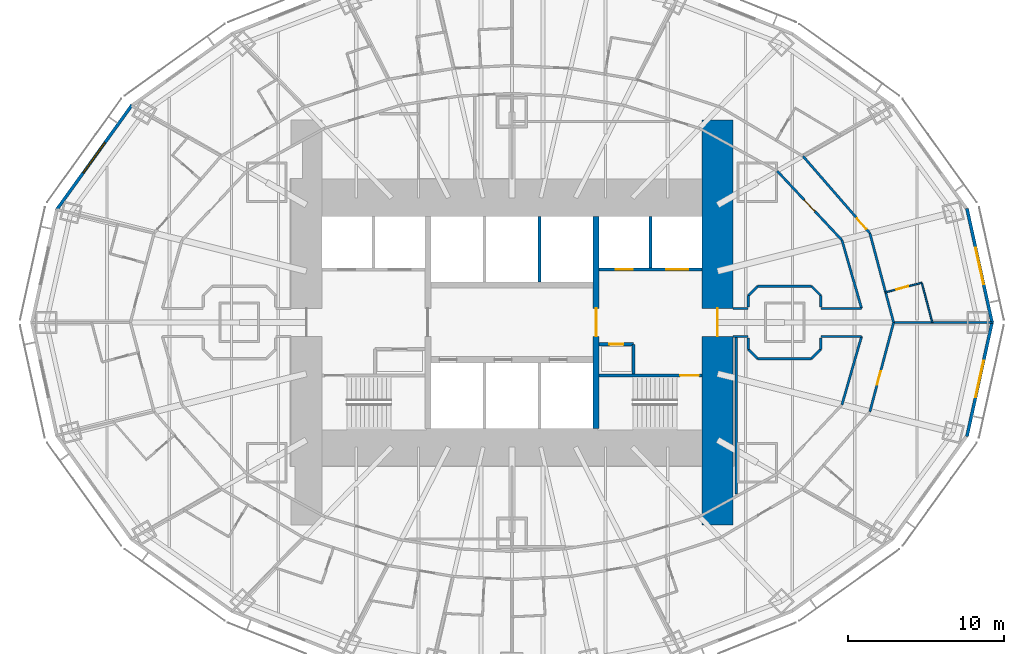
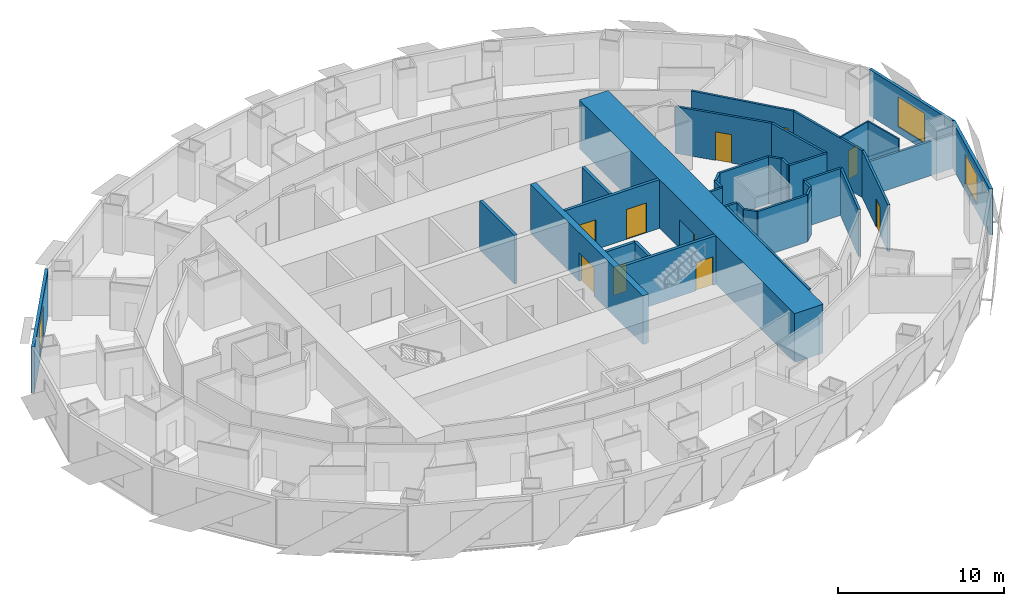
# One storey, part 8 of 15: 35 walls, 10 doors, 3 windows, 13 openings.
"""IFC4 building model written with IfcOpenShell, lengths in metres."""

from ifc_helpers import new_model, si_unit, direction, frame, frame_2d, origin, place, context, subcontext, project, spatial, rectangle, extrude, material, layer, layer_set, type_object, element, fill, save


model = new_model("IFC4")

# Units and contexts
model_context = context("Model", 3, precision=1e-05, world=origin(), true_north=direction((0.0, 1.0)))
body_context = subcontext(model_context, "Body", "Model", "MODEL_VIEW")
ifc_project = project(units=[si_unit("LENGTHUNIT", "METRE"), si_unit("AREAUNIT", "SQUARE_METRE"), si_unit("VOLUMEUNIT", "CUBIC_METRE"), si_unit("PLANEANGLEUNIT", "RADIAN"), si_unit("MASSUNIT", "GRAM", prefix="KILO")], contexts=[model_context])

# Site, building, storey
site_placement = place(None, origin())
site = spatial("IfcSite", under=ifc_project, at=site_placement, CompositionType="ELEMENT")
building_placement = place(site_placement, origin())
building = spatial("IfcBuilding", under=site, at=building_placement, Name="Lantaw Convention Tower", CompositionType="ELEMENT")
storey_placement = place(building_placement, frame((0.0, 0.0, 65.800048828125)))
storey = spatial("IfcBuildingStorey", under=building, at=storey_placement, Name="L14", CompositionType="ELEMENT", Elevation=65.800048828125)

# Wall
ifc_material_1 = material(Name="Gypsum board on steel studs", Category="steel")
ifc_layer_1 = layer(ifc_material_1, 0.14990234375)
ifc_layer_set_1 = layer_set([ifc_layer_1], Name="Back of house wall 150")
wall_type_1 = type_object("IfcWallType", Name="Back of house wall 150", PredefinedType="PARTITIONING", material=ifc_layer_set_1)
wall_1_placement = place(storey_placement, frame((14.39990234375, -11.01708984375, 0.0), z_axis=(0.0, 0.0, 1.0), x_axis=(0.0, 1.0, 0.0)))
element("IfcWall", 1, at=wall_1_placement, inside=storey, type_object=wall_type_1, Name="Back of house wall 150", PredefinedType="PARTITIONING", context=body_context, shape_type="SweptSolid", body=[
    extrude(rectangle(XDim=10.1171875, YDim=0.14990234375, at=frame_2d((5.05859375, 0.0))), origin(), (0.0, 0.0, 1.0), 3.449951171875),
])

# Wall, opening, door
ifc_material_2 = material(Name="Moisture resistant gypsum board on steel studs", Category="steel")
ifc_layer_2 = layer(ifc_material_2, 0.10009765625)
ifc_layer_set_2 = layer_set([ifc_layer_2], Name="Bathroom wall 100")
wall_type_2 = type_object("IfcWallType", Name="Bathroom wall 100", PredefinedType="PARTITIONING", material=ifc_layer_set_2)
wall_2_placement = place(storey_placement, frame((23.98583984375, 1.932861328125, 0.0), z_axis=(0.0, 0.0, 1.0), x_axis=(0.96639514992, 0.257061109879, 0.0)))
wall_2 = element("IfcWall", 2, at=wall_2_placement, inside=storey, type_object=wall_type_2, Name="Bathroom wall 100", PredefinedType="PARTITIONING", context=body_context, shape_type="SweptSolid", body=[
    extrude(rectangle(XDim=2.39990234375, YDim=0.10009765625, at=frame_2d((1.199951171875, 0.0))), origin(), (0.0, 0.0, 1.0), 3.449951171875),
])
opening_1_placement = place(wall_2_placement, frame((0.699951171875, 0.0, 0.0)))
opening_1 = element("IfcOpeningElement", 3, at=opening_1_placement, cuts=wall_2, Name="Opening L14.26", PredefinedType="OPENING", context=body_context, shape_type="SweptSolid", body=[
    extrude(rectangle(XDim=0.800048828125, YDim=2.10009765625, at=frame_2d((0.39990234375, 1.050048828125))), frame((0.0, 0.06005859375, 0.0), z_axis=(0.0, -1.0, 0.0), x_axis=(1.0, 0.0, 0.0)), (0.0, 0.0, 1.0), 0.1201171875),
])
ifc_material_3 = material(Name="Timber", Category="wood")
door_type_1 = type_object("IfcDoorType", Name="Bathroom door 800", OperationType="SINGLE_SWING_LEFT", PredefinedType="DOOR", material=ifc_material_3)
door_1_placement = place(opening_1_placement, origin())
door_1 = element("IfcDoor", 4, at=door_1_placement, inside=storey, type_object=door_type_1, Name="Bathroom door", OperationType="SINGLE_SWING_LEFT", OverallHeight=2.10009765625, OverallWidth=0.800048828125, PredefinedType="DOOR", context=body_context, shape_type="SweptSolid", body=[
    extrude(rectangle(XDim=0.800048828125, YDim=2.10009765625, at=frame_2d((0.39990234375, 1.050048828125))), frame((0.0, 0.02490234375, 0.0), z_axis=(0.0, -1.0, 0.0), x_axis=(1.0, 0.0, 0.0)), (0.0, 0.0, 1.0), 0.050048828125),
])
fill(opening_1, door_1)

# Wall
wall_3_placement = place(storey_placement, frame((26.30517578125, 2.5498046875, 0.0), z_axis=(0.0, 0.0, 1.0), x_axis=(0.257052122515, -0.966397540513, 0.0)))
element("IfcWall", 5, at=wall_3_placement, inside=storey, type_object=wall_type_2, Name="Bathroom wall 100", PredefinedType="PARTITIONING", context=body_context, shape_type="SweptSolid", body=[
    extrude(rectangle(XDim=2.638427734375, YDim=0.10009765625, at=frame_2d((1.3193359375, 0.0))), origin(), (0.0, 0.0, 1.0), 3.449951171875),
])

# Wall, opening, door
ifc_material_4 = material(Name="Concrete C60/75", Category="concrete")
ifc_layer_3 = layer(ifc_material_4, 0.199951171875)
ifc_layer_set_3 = layer_set([ifc_layer_3], Name="Core wall 200")
wall_type_3 = type_object("IfcWallType", Name="Core wall 200", PredefinedType="SHEAR", material=ifc_layer_set_3)
wall_4_placement = place(storey_placement, frame((5.60009765625, -3.39990234375, 0.0), z_axis=(0.0, 0.0, 1.0), x_axis=(1.0, 0.0, 0.0)))
wall_4 = element("IfcWall", 6, at=wall_4_placement, inside=storey, type_object=wall_type_3, Name="Core wall ES", PredefinedType="SHEAR", context=body_context, shape_type="SweptSolid", body=[
    extrude(rectangle(XDim=6.599853515625, YDim=0.199951171875, at=frame_2d((3.2998046875, 0.0))), origin(), (0.0, 0.0, 1.0), 3.599853515625),
])
opening_2_placement = place(wall_4_placement, frame((5.199951171875, 0.0, 0.0)))
opening_2 = element("IfcOpeningElement", 7, at=opening_2_placement, cuts=wall_4, Name="Opening L14.05", PredefinedType="OPENING", context=body_context, shape_type="SweptSolid", body=[
    extrude(rectangle(XDim=1.199951171875, YDim=2.10009765625, at=frame_2d((0.60009765625, 1.050048828125))), frame((0.0, 0.10986328125, 0.0), z_axis=(0.0, -1.0, 0.0), x_axis=(1.0, 0.0, 0.0)), (0.0, 0.0, 1.0), 0.219970703125),
])
ifc_material_5 = material(Name="Steel, fire rated", Category="steel")
door_type_2 = type_object("IfcDoorType", Name="Stair door FD90", OperationType="SINGLE_SWING_RIGHT", PredefinedType="DOOR", material=ifc_material_5)
door_2_placement = place(opening_2_placement, origin())
door_2 = element("IfcDoor", 8, at=door_2_placement, inside=storey, type_object=door_type_2, Name="Exit stair door", OperationType="SINGLE_SWING_RIGHT", OverallHeight=2.10009765625, OverallWidth=1.199951171875, PredefinedType="DOOR", context=body_context, shape_type="SweptSolid", body=[
    extrude(rectangle(XDim=1.199951171875, YDim=2.10009765625, at=frame_2d((0.60009765625, 1.050048828125))), frame((0.0, 0.02490234375, 0.0), z_axis=(0.0, -1.0, 0.0), x_axis=(1.0, 0.0, 0.0)), (0.0, 0.0, 1.0), 0.050048828125),
])
fill(opening_2, door_2)

ifc_layer_4 = layer(ifc_material_4, 2.0)
ifc_layer_set_4 = layer_set([ifc_layer_4], Name="Core wall 2000")
wall_type_4 = type_object("IfcWallType", Name="Core wall 2000", PredefinedType="SHEAR", material=ifc_layer_set_4)
wall_5_placement = place(storey_placement, frame((13.199951171875, -13.0, 0.0), z_axis=(0.0, 0.0, 1.0), x_axis=(0.0, 1.0, 0.0)))
wall_5 = element("IfcWall", 9, at=wall_5_placement, inside=storey, type_object=wall_type_4, Name="Core wall E", PredefinedType="SHEAR", context=body_context, shape_type="SweptSolid", body=[
    extrude(rectangle(XDim=26.0, YDim=2.0, at=frame_2d((13.0, 0.0))), origin(), (0.0, 0.0, 1.0), 3.599853515625),
])
opening_3_placement = place(wall_5_placement, frame((12.10009765625, 0.0, 0.0)))
opening_3 = element("IfcOpeningElement", 10, at=opening_3_placement, cuts=wall_5, Name="Opening L14.07", PredefinedType="OPENING", context=body_context, shape_type="SweptSolid", body=[
    extrude(rectangle(XDim=1.800048828125, YDim=2.10009765625, at=frame_2d((0.89990234375, 1.050048828125))), frame((0.0, 1.010009765625, 0.0), z_axis=(0.0, -1.0, 0.0), x_axis=(1.0, 0.0, 0.0)), (0.0, 0.0, 1.0), 2.02001953125),
])
door_type_3 = type_object("IfcDoorType", Name="Lobby double door FD90", OperationType="DOUBLE_DOOR_DOUBLE_SWING", PredefinedType="DOOR", material=ifc_material_5)
door_3_placement = place(opening_3_placement, origin())
door_3 = element("IfcDoor", 11, at=door_3_placement, inside=storey, type_object=door_type_3, Name="Firefighting lobby door", OperationType="DOUBLE_DOOR_DOUBLE_SWING", OverallHeight=2.10009765625, OverallWidth=1.800048828125, PredefinedType="DOOR", context=body_context, shape_type="SweptSolid", body=[
    extrude(rectangle(XDim=1.800048828125, YDim=2.10009765625, at=frame_2d((0.89990234375, 1.050048828125))), frame((0.0, 0.02490234375, 0.0), z_axis=(0.0, -1.0, 0.0), x_axis=(1.0, 0.0, 0.0)), (0.0, 0.0, 1.0), 0.050048828125),
])
fill(opening_3, door_3)

ifc_layer_5 = layer(ifc_material_4, 0.39990234375)
ifc_layer_set_5 = layer_set([ifc_layer_5], Name="Core wall 400")
wall_type_5 = type_object("IfcWallType", Name="Core wall 400", PredefinedType="SHEAR", material=ifc_layer_set_5)
wall_6_placement = place(storey_placement, frame((5.39990234375, -6.800048828125, 0.0), z_axis=(0.0, 0.0, 1.0), x_axis=(0.0, 1.0, 0.0)))
wall_6 = element("IfcWall", 12, at=wall_6_placement, inside=storey, type_object=wall_type_5, Name="Core wall XE", PredefinedType="SHEAR", context=body_context, shape_type="SweptSolid", body=[
    extrude(rectangle(XDim=13.60009765625, YDim=0.39990234375, at=frame_2d((6.800048828125, 0.0))), origin(), (0.0, 0.0, 1.0), 3.599853515625),
])
opening_4_placement = place(wall_6_placement, frame((5.89990234375, 0.0, 0.0)))
opening_4 = element("IfcOpeningElement", 13, at=opening_4_placement, cuts=wall_6, Name="Opening L14.03", PredefinedType="OPENING", context=body_context, shape_type="SweptSolid", body=[
    extrude(rectangle(XDim=1.800048828125, YDim=2.10009765625, at=frame_2d((0.89990234375, 1.050048828125))), frame((0.0, 0.2099609375, 0.0), z_axis=(0.0, -1.0, 0.0), x_axis=(1.0, 0.0, 0.0)), (0.0, 0.0, 1.0), 0.419921875),
])
door_4_placement = place(opening_4_placement, origin())
door_4 = element("IfcDoor", 14, at=door_4_placement, inside=storey, type_object=door_type_3, Name="Lift lobby door", OperationType="DOUBLE_DOOR_DOUBLE_SWING", OverallHeight=2.10009765625, OverallWidth=1.800048828125, PredefinedType="DOOR", context=body_context, shape_type="SweptSolid", body=[
    extrude(rectangle(XDim=1.800048828125, YDim=2.10009765625, at=frame_2d((0.89990234375, 1.050048828125))), frame((0.0, 0.02490234375, 0.0), z_axis=(0.0, -1.0, 0.0), x_axis=(1.0, 0.0, 0.0)), (0.0, 0.0, 1.0), 0.050048828125),
])
fill(opening_4, door_4)

# Wall
ifc_material_6 = material(Name="Gypsum board on steel studs, fire rated", Category="steel")
ifc_layer_6 = layer(ifc_material_6, 0.14990234375)
ifc_layer_set_6 = layer_set([ifc_layer_6], Name="Corridor wall 150 EI 60")
wall_type_6 = type_object("IfcWallType", Name="Corridor wall 150 EI 60", PredefinedType="PARTITIONING", material=ifc_layer_set_6)
wall_7_placement = place(storey_placement, frame((24.5, 0.0, 0.0), z_axis=(0.0, 0.0, 1.0), x_axis=(-0.257083265334, 0.966389256296, 0.0)))
element("IfcWall", 15, at=wall_7_placement, inside=storey, type_object=wall_type_6, Name="Corridor wall 150", PredefinedType="PARTITIONING", context=body_context, shape_type="SweptSolid", body=[
    extrude(rectangle(XDim=5.927734375, YDim=0.14990234375, at=frame_2d((2.9638671875, 0.0))), origin(), (0.0, 0.0, 1.0), 3.449951171875),
])

# Wall, opening, door
wall_8_placement = place(storey_placement, frame((22.97607421875, 5.728515625, 0.0), z_axis=(0.0, 0.0, 1.0), x_axis=(-0.655599989166, 0.755108372491, 0.0)))
wall_8 = element("IfcWall", 16, at=wall_8_placement, inside=storey, type_object=wall_type_6, Name="Corridor wall 150", PredefinedType="PARTITIONING", context=body_context, shape_type="SweptSolid", body=[
    extrude(rectangle(XDim=6.55078125, YDim=0.14990234375, at=frame_2d((3.275390625, 0.0))), origin(), (0.0, 0.0, 1.0), 3.449951171875),
])
opening_5_placement = place(wall_8_placement, frame((0.355712890625, 0.0, 0.0)))
opening_5 = element("IfcOpeningElement", 17, at=opening_5_placement, cuts=wall_8, Name="Opening L14.27", PredefinedType="OPENING", context=body_context, shape_type="SweptSolid", body=[
    extrude(rectangle(XDim=0.89990234375, YDim=2.10009765625, at=frame_2d((0.449951171875, 1.050048828125))), frame((0.0, 0.0849609375, 0.0), z_axis=(0.0, -1.0, 0.0), x_axis=(1.0, 0.0, 0.0)), (0.0, 0.0, 1.0), 0.169921875),
])
door_type_4 = type_object("IfcDoorType", Name="Guest room entrance door FD30S", OperationType="SINGLE_SWING_LEFT", PredefinedType="DOOR", material=ifc_material_5)
door_5_placement = place(opening_5_placement, origin())
door_5 = element("IfcDoor", 18, at=door_5_placement, inside=storey, type_object=door_type_4, Name="Junior suite entrance door", OperationType="SINGLE_SWING_LEFT", OverallHeight=2.10009765625, OverallWidth=0.89990234375, PredefinedType="DOOR", context=body_context, shape_type="SweptSolid", body=[
    extrude(rectangle(XDim=0.89990234375, YDim=2.10009765625, at=frame_2d((0.449951171875, 1.050048828125))), frame((0.0, 0.02490234375, 0.0), z_axis=(0.0, -1.0, 0.0), x_axis=(1.0, 0.0, 0.0)), (0.0, 0.0, 1.0), 0.050048828125),
])
fill(opening_5, door_5)

wall_9_placement = place(storey_placement, frame((22.97607421875, -5.728515625, 0.0), z_axis=(0.0, 0.0, 1.0), x_axis=(0.257083265334, 0.966389256296, 0.0)))
wall_9 = element("IfcWall", 19, at=wall_9_placement, inside=storey, type_object=wall_type_6, Name="Corridor wall 150", PredefinedType="PARTITIONING", context=body_context, shape_type="SweptSolid", body=[
    extrude(rectangle(XDim=5.927734375, YDim=0.14990234375, at=frame_2d((2.9638671875, 0.0))), origin(), (0.0, 0.0, 1.0), 3.449951171875),
])
opening_6_placement = place(wall_9_placement, frame((1.79443359375, 0.0, 0.0)))
opening_6 = element("IfcOpeningElement", 20, at=opening_6_placement, cuts=wall_9, Name="Opening L14.61", PredefinedType="OPENING", context=body_context, shape_type="SweptSolid", body=[
    extrude(rectangle(XDim=0.89990234375, YDim=2.10009765625, at=frame_2d((0.449951171875, 1.050048828125))), frame((0.0, 0.0849609375, 0.0), z_axis=(0.0, -1.0, 0.0), x_axis=(1.0, 0.0, 0.0)), (0.0, 0.0, 1.0), 0.169921875),
])
door_6_placement = place(opening_6_placement, origin())
door_6 = element("IfcDoor", 21, at=door_6_placement, inside=storey, type_object=door_type_4, Name="Junior suite entrance door", OperationType="SINGLE_SWING_LEFT", OverallHeight=2.10009765625, OverallWidth=0.89990234375, PredefinedType="DOOR", context=body_context, shape_type="SweptSolid", body=[
    extrude(rectangle(XDim=0.89990234375, YDim=2.10009765625, at=frame_2d((0.449951171875, 1.050048828125))), frame((0.0, 0.02490234375, 0.0), z_axis=(0.0, -1.0, 0.0), x_axis=(1.0, 0.0, 0.0)), (0.0, 0.0, 1.0), 0.050048828125),
])
fill(opening_6, door_6)

# Wall
wall_10_placement = place(storey_placement, frame((22.441650390625, 0.89990234375, 0.0), z_axis=(0.0, 0.0, 1.0), x_axis=(-0.27585972825, 0.961197903831, 0.0)))
element("IfcWall", 22, at=wall_10_placement, inside=storey, type_object=wall_type_6, Name="Corridor wall 150", PredefinedType="PARTITIONING", context=body_context, shape_type="SweptSolid", body=[
    extrude(rectangle(XDim=4.558837890625, YDim=0.14990234375, at=frame_2d((2.279296875, 0.0))), origin(), (0.0, 0.0, 1.0), 3.449951171875),
])

# Wall, opening, door
wall_11_placement = place(storey_placement, frame((21.18408203125, 5.28173828125, 0.0), z_axis=(0.0, 0.0, 1.0), x_axis=(-0.68365836236, 0.729802194828, 0.0)))
wall_11 = element("IfcWall", 23, at=wall_11_placement, inside=storey, type_object=wall_type_6, Name="Corridor wall 150", PredefinedType="PARTITIONING", context=body_context, shape_type="SweptSolid", body=[
    extrude(rectangle(XDim=6.08984375, YDim=0.14990234375, at=frame_2d((3.044921875, 0.0))), origin(), (0.0, 0.0, 1.0), 3.449951171875),
])
opening_7_placement = place(wall_11_placement, frame((2.544921875, 0.0, 0.0)))
opening_7 = element("IfcOpeningElement", 24, at=opening_7_placement, cuts=wall_11, Name="Opening L14.17", PredefinedType="OPENING", context=body_context, shape_type="SweptSolid", body=[
    extrude(rectangle(XDim=1.0, YDim=2.10009765625, at=frame_2d((0.5, 1.050048828125))), frame((0.0, 0.0849609375, 0.0), z_axis=(0.0, -1.0, 0.0), x_axis=(1.0, 0.0, 0.0)), (0.0, 0.0, 1.0), 0.169921875),
])
door_type_5 = type_object("IfcDoorType", Name="Service door 1000 FD30", OperationType="SINGLE_SWING_LEFT", PredefinedType="DOOR", material=ifc_material_5)
door_7_placement = place(opening_7_placement, origin())
door_7 = element("IfcDoor", 25, at=door_7_placement, inside=storey, type_object=door_type_5, Name="Linen store door", OperationType="SINGLE_SWING_LEFT", OverallHeight=2.10009765625, OverallWidth=1.0, PredefinedType="DOOR", context=body_context, shape_type="SweptSolid", body=[
    extrude(rectangle(XDim=1.0, YDim=2.10009765625, at=frame_2d((0.5, 1.050048828125))), frame((0.0, 0.02490234375, 0.0), z_axis=(0.0, -1.0, 0.0), x_axis=(1.0, 0.0, 0.0)), (0.0, 0.0, 1.0), 0.050048828125),
])
fill(opening_7, door_7)

# Walls
wall_12_placement = place(storey_placement, frame((21.18408203125, -5.28173828125, 0.0), z_axis=(0.0, 0.0, 1.0), x_axis=(0.27585972825, 0.961197903831, 0.0)))
element("IfcWall", 26, at=wall_12_placement, inside=storey, type_object=wall_type_6, Name="Corridor wall 150", PredefinedType="PARTITIONING", context=body_context, shape_type="SweptSolid", body=[
    extrude(rectangle(XDim=4.558837890625, YDim=0.14990234375, at=frame_2d((2.279296875, 0.0))), origin(), (0.0, 0.0, 1.0), 3.449951171875),
])
wall_13_placement = place(storey_placement, frame((14.199951171875, -0.89990234375, 0.0), z_axis=(0.0, 0.0, 1.0), x_axis=(1.0, 0.0, 0.0)))
element("IfcWall", 27, at=wall_13_placement, inside=storey, type_object=wall_type_6, Name="Corridor wall 150", PredefinedType="PARTITIONING", context=body_context, shape_type="SweptSolid", body=[
    extrude(rectangle(XDim=0.965087890625, YDim=0.14990234375, at=frame_2d((0.482421875, 0.0))), origin(), (0.0, 0.0, 1.0), 3.449951171875),
])
wall_14_placement = place(storey_placement, frame((19.8349609375, -0.89990234375, 0.0), z_axis=(0.0, 0.0, 1.0), x_axis=(1.0, 0.0, 0.0)))
element("IfcWall", 28, at=wall_14_placement, inside=storey, type_object=wall_type_6, Name="Corridor wall 150", PredefinedType="PARTITIONING", context=body_context, shape_type="SweptSolid", body=[
    extrude(rectangle(XDim=2.606689453125, YDim=0.14990234375, at=frame_2d((1.30322265625, 0.0))), origin(), (0.0, 0.0, 1.0), 3.449951171875),
])
wall_15_placement = place(storey_placement, frame((14.199951171875, 0.89990234375, 0.0), z_axis=(0.0, 0.0, 1.0), x_axis=(1.0, 0.0, 0.0)))
element("IfcWall", 29, at=wall_15_placement, inside=storey, type_object=wall_type_6, Name="Corridor wall 150", PredefinedType="PARTITIONING", context=body_context, shape_type="SweptSolid", body=[
    extrude(rectangle(XDim=0.965087890625, YDim=0.14990234375, at=frame_2d((0.482421875, 0.0))), origin(), (0.0, 0.0, 1.0), 3.449951171875),
])
wall_16_placement = place(storey_placement, frame((19.8349609375, 0.89990234375, 0.0), z_axis=(0.0, 0.0, 1.0), x_axis=(1.0, 0.0, 0.0)))
element("IfcWall", 30, at=wall_16_placement, inside=storey, type_object=wall_type_6, Name="Corridor wall 150", PredefinedType="PARTITIONING", context=body_context, shape_type="SweptSolid", body=[
    extrude(rectangle(XDim=2.606689453125, YDim=0.14990234375, at=frame_2d((1.30322265625, 0.0))), origin(), (0.0, 0.0, 1.0), 3.449951171875),
])
wall_17_placement = place(storey_placement, frame((15.175048828125, 1.003173828125, 0.0), z_axis=(0.0, 0.0, 1.0), x_axis=(0.0, 1.0, 0.0)))
element("IfcWall", 31, at=wall_17_placement, inside=storey, type_object=wall_type_6, Name="Corridor wall 150", PredefinedType="PARTITIONING", context=body_context, shape_type="SweptSolid", body=[
    extrude(rectangle(XDim=0.721435546875, YDim=0.14990234375, at=frame_2d((0.36083984375, 0.0))), origin(), (0.0, 0.0, 1.0), 3.449951171875),
])
wall_18_placement = place(storey_placement, frame((15.175048828125, 1.724609375, 0.0), z_axis=(0.0, 0.0, 1.0), x_axis=(0.707106781187, 0.707106781187, 0.0)))
element("IfcWall", 32, at=wall_18_placement, inside=storey, type_object=wall_type_6, Name="Corridor wall 150", PredefinedType="PARTITIONING", context=body_context, shape_type="SweptSolid", body=[
    extrude(rectangle(XDim=0.84912109375, YDim=0.14990234375, at=frame_2d((0.424560546875, 0.0))), origin(), (0.0, 0.0, 1.0), 3.449951171875),
])
wall_19_placement = place(storey_placement, frame((15.775390625, 2.324951171875, 0.0), z_axis=(0.0, 0.0, 1.0), x_axis=(1.0, 0.0, 0.0)))
element("IfcWall", 33, at=wall_19_placement, inside=storey, type_object=wall_type_6, Name="Corridor wall 150", PredefinedType="PARTITIONING", context=body_context, shape_type="SweptSolid", body=[
    extrude(rectangle(XDim=3.44921875, YDim=0.14990234375, at=frame_2d((1.724609375, 0.0))), origin(), (0.0, 0.0, 1.0), 3.449951171875),
])
wall_20_placement = place(storey_placement, frame((19.224609375, 2.324951171875, 0.0), z_axis=(0.0, 0.0, 1.0), x_axis=(0.707106781187, -0.707106781187, 0.0)))
element("IfcWall", 34, at=wall_20_placement, inside=storey, type_object=wall_type_6, Name="Corridor wall 150", PredefinedType="PARTITIONING", context=body_context, shape_type="SweptSolid", body=[
    extrude(rectangle(XDim=0.84912109375, YDim=0.14990234375, at=frame_2d((0.424560546875, 0.0))), origin(), (0.0, 0.0, 1.0), 3.449951171875),
])
for number, where, z_axis, x_axis, name in (
    (35, (19.824951171875, 1.724609375, 0.0), (0.0, 0.0, 1.0), (0.0, -1.0, 0.0), "Corridor wall 150"),
    (36, (15.175048828125, -1.724609375, 0.0), (0.0, 0.0, 1.0), (0.0, 1.0, 0.0), "Corridor wall 150"),
    (37, (19.824951171875, -1.003173828125, 0.0), (0.0, 0.0, 1.0), (0.0, -1.0, 0.0), "Corridor wall 150"),
):
    element("IfcWall", number, at=place(storey_placement, frame(where, z_axis=z_axis, x_axis=x_axis)), inside=storey, type_object=wall_type_6, Name=name, PredefinedType="PARTITIONING", context=body_context, shape_type="SweptSolid", body=[
        extrude(rectangle(XDim=0.721435546875, YDim=0.14990234375, at=frame_2d((0.36083984375, 0.0))), origin(), (0.0, 0.0, 1.0), 3.449951171875),
    ])
wall_21_placement = place(storey_placement, frame((19.824951171875, -1.724609375, 0.0), z_axis=(0.0, 0.0, 1.0), x_axis=(-0.707106781187, -0.707106781187, 0.0)))
element("IfcWall", 38, at=wall_21_placement, inside=storey, type_object=wall_type_6, Name="Corridor wall 150", PredefinedType="PARTITIONING", context=body_context, shape_type="SweptSolid", body=[
    extrude(rectangle(XDim=0.84912109375, YDim=0.14990234375, at=frame_2d((0.424560546875, 0.0))), origin(), (0.0, 0.0, 1.0), 3.449951171875),
])
wall_22_placement = place(storey_placement, frame((19.224609375, -2.324951171875, 0.0), z_axis=(0.0, 0.0, 1.0), x_axis=(-1.0, 0.0, 0.0)))
element("IfcWall", 39, at=wall_22_placement, inside=storey, type_object=wall_type_6, Name="Corridor wall 150", PredefinedType="PARTITIONING", context=body_context, shape_type="SweptSolid", body=[
    extrude(rectangle(XDim=3.44921875, YDim=0.14990234375, at=frame_2d((1.724609375, 0.0))), origin(), (0.0, 0.0, 1.0), 3.449951171875),
])
wall_23_placement = place(storey_placement, frame((15.775390625, -2.324951171875, 0.0), z_axis=(0.0, 0.0, 1.0), x_axis=(-0.707106781187, 0.707106781187, 0.0)))
element("IfcWall", 40, at=wall_23_placement, inside=storey, type_object=wall_type_6, Name="Corridor wall 150", PredefinedType="PARTITIONING", context=body_context, shape_type="SweptSolid", body=[
    extrude(rectangle(XDim=0.84912109375, YDim=0.14990234375, at=frame_2d((0.424560546875, 0.0))), origin(), (0.0, 0.0, 1.0), 3.449951171875),
])

# Wall, opening, window
ifc_material_7 = material(Name="Insulated aluminium panel on steel frame", Category="steel")
ifc_layer_7 = layer(ifc_material_7, 0.199951171875)
ifc_layer_set_7 = layer_set([ifc_layer_7], Name="External wall 200")
wall_type_7 = type_object("IfcWallType", Name="External wall 200", PredefinedType="SOLIDWALL", material=ifc_layer_set_7)
wall_24_placement = place(storey_placement, frame((30.83544921875, -0.06689453125, 0.0), z_axis=(0.0, 0.0, 1.0), x_axis=(-0.215238065514, 0.976561608478, 0.0)))
wall_24 = element("IfcWall", 41, at=wall_24_placement, inside=storey, type_object=wall_type_7, Name="Facade panel wall", PredefinedType="SOLIDWALL", context=body_context, shape_type="SweptSolid", body=[
    extrude(rectangle(XDim=7.562255859375, YDim=0.199951171875, at=frame_2d((3.78125, 0.0))), origin(), (0.0, 0.0, 1.0), 3.39990234375),
])
opening_8_placement = place(wall_24_placement, frame((2.581298828125, 0.0, 0.5)))
opening_8 = element("IfcOpeningElement", 42, at=opening_8_placement, cuts=wall_24, Name="Opening W1", PredefinedType="OPENING", context=body_context, shape_type="SweptSolid", body=[
    extrude(rectangle(XDim=2.39990234375, YDim=2.199951171875, at=frame_2d((1.199951171875, 1.10009765625))), frame((0.0, 0.10986328125, 0.0), z_axis=(0.0, -1.0, 0.0), x_axis=(1.0, 0.0, 0.0)), (0.0, 0.0, 1.0), 0.219970703125),
])
ifc_material_8 = material(Name="Aluminium frame, clear insulating glass", Category="aluminium")
window_type = type_object("IfcWindowType", Name="Guest room window 2400x2200", PartitioningType="SINGLE_PANEL", PredefinedType="WINDOW", material=ifc_material_8)
window_1_placement = place(opening_8_placement, origin())
window_1 = element("IfcWindow", 43, at=window_1_placement, inside=storey, type_object=window_type, Name="Guest room window", OverallHeight=2.199951171875, OverallWidth=2.39990234375, PartitioningType="SINGLE_PANEL", PredefinedType="WINDOW", context=body_context, shape_type="SweptSolid", body=[
    extrude(rectangle(XDim=2.39990234375, YDim=2.199951171875, at=frame_2d((1.199951171875, 1.10009765625))), frame((0.0, 0.030029296875, 0.0), z_axis=(0.0, -1.0, 0.0), x_axis=(1.0, 0.0, 0.0)), (0.0, 0.0, 1.0), 0.06005859375),
])
fill(opening_8, window_1)

wall_25_placement = place(storey_placement, frame((-24.400390625, 13.95654296875, 0.0), z_axis=(0.0, 0.0, 1.0), x_axis=(-0.583937613703, -0.811798536155, 0.0)))
wall_25 = element("IfcWall", 44, at=wall_25_placement, inside=storey, type_object=wall_type_7, Name="Facade panel wall", PredefinedType="SOLIDWALL", context=body_context, shape_type="SweptSolid", body=[
    extrude(rectangle(XDim=8.322998046875, YDim=0.199951171875, at=frame_2d((4.16162109375, 0.0))), origin(), (0.0, 0.0, 1.0), 3.39990234375),
])
opening_9_placement = place(wall_25_placement, frame((2.96142578125, 0.0, 0.5)))
opening_9 = element("IfcOpeningElement", 45, at=opening_9_placement, cuts=wall_25, Name="Opening W1", PredefinedType="OPENING", context=body_context, shape_type="SweptSolid", body=[
    extrude(rectangle(XDim=2.39990234375, YDim=2.199951171875, at=frame_2d((1.199951171875, 1.10009765625))), frame((0.0, 0.10986328125, 0.0), z_axis=(0.0, -1.0, 0.0), x_axis=(1.0, 0.0, 0.0)), (0.0, 0.0, 1.0), 0.219970703125),
])
window_2_placement = place(opening_9_placement, origin())
window_2 = element("IfcWindow", 46, at=window_2_placement, inside=storey, type_object=window_type, Name="Guest room window", OverallHeight=2.199951171875, OverallWidth=2.39990234375, PartitioningType="SINGLE_PANEL", PredefinedType="WINDOW", context=body_context, shape_type="SweptSolid", body=[
    extrude(rectangle(XDim=2.39990234375, YDim=2.199951171875, at=frame_2d((1.199951171875, 1.10009765625))), frame((0.0, 0.030029296875, 0.0), z_axis=(0.0, -1.0, 0.0), x_axis=(1.0, 0.0, 0.0)), (0.0, 0.0, 1.0), 0.06005859375),
])
fill(opening_9, window_2)

wall_26_placement = place(storey_placement, frame((29.207763671875, -7.318115234375, 0.0), z_axis=(0.0, 0.0, 1.0), x_axis=(0.215238065514, 0.976561608478, 0.0)))
wall_26 = element("IfcWall", 47, at=wall_26_placement, inside=storey, type_object=wall_type_7, Name="Facade panel wall", PredefinedType="SOLIDWALL", context=body_context, shape_type="SweptSolid", body=[
    extrude(rectangle(XDim=7.562255859375, YDim=0.199951171875, at=frame_2d((3.78125, 0.0))), origin(), (0.0, 0.0, 1.0), 3.39990234375),
])
opening_10_placement = place(wall_26_placement, frame((2.581298828125, 0.0, 0.5)))
opening_10 = element("IfcOpeningElement", 48, at=opening_10_placement, cuts=wall_26, Name="Opening W1", PredefinedType="OPENING", context=body_context, shape_type="SweptSolid", body=[
    extrude(rectangle(XDim=2.39990234375, YDim=2.199951171875, at=frame_2d((1.199951171875, 1.10009765625))), frame((0.0, 0.10986328125, 0.0), z_axis=(0.0, -1.0, 0.0), x_axis=(1.0, 0.0, 0.0)), (0.0, 0.0, 1.0), 0.219970703125),
])
window_3_placement = place(opening_10_placement, origin())
window_3 = element("IfcWindow", 49, at=window_3_placement, inside=storey, type_object=window_type, Name="Guest room window", OverallHeight=2.199951171875, OverallWidth=2.39990234375, PartitioningType="SINGLE_PANEL", PredefinedType="WINDOW", context=body_context, shape_type="SweptSolid", body=[
    extrude(rectangle(XDim=2.39990234375, YDim=2.199951171875, at=frame_2d((1.199951171875, 1.10009765625))), frame((0.0, 0.030029296875, 0.0), z_axis=(0.0, -1.0, 0.0), x_axis=(1.0, 0.0, 0.0)), (0.0, 0.0, 1.0), 0.06005859375),
])
fill(opening_10, window_3)

# Wall
ifc_material_9 = material(Name="Gypsum board on steel studs, acoustic", Category="steel")
ifc_layer_8 = layer(ifc_material_9, 0.14990234375)
ifc_layer_set_8 = layer_set([ifc_layer_8], Name="Guest room party wall 150")
wall_type_8 = type_object("IfcWallType", Name="Guest room party wall 150", PredefinedType="PARTITIONING", material=ifc_layer_set_8)
wall_27_placement = place(storey_placement, frame((30.82080078125, 0.0, 0.0), z_axis=(0.0, 0.0, 1.0), x_axis=(-1.0, 0.0, 0.0)))
element("IfcWall", 50, at=wall_27_placement, inside=storey, type_object=wall_type_8, Name="Guest room party wall 150", PredefinedType="PARTITIONING", context=body_context, shape_type="SweptSolid", body=[
    extrude(rectangle(XDim=6.32080078125, YDim=0.14990234375, at=frame_2d((3.160400390625, 0.0))), origin(), (0.0, 0.0, 1.0), 2.52783203125),
])

# Wall, opening, door
ifc_material_10 = material(Name="Concrete blockwork, fire rated", Category="masonry")
ifc_layer_9 = layer(ifc_material_10, 0.199951171875)
ifc_layer_set_9 = layer_set([ifc_layer_9], Name="Plant room wall 200 EI 120")
wall_type_9 = type_object("IfcWallType", Name="Plant room wall 200 EI 120", PredefinedType="SOLIDWALL", material=ifc_layer_set_9)
wall_28_placement = place(storey_placement, frame((5.60009765625, -1.39990234375, 0.0), z_axis=(0.0, 0.0, 1.0), x_axis=(1.0, 0.0, 0.0)))
wall_28 = element("IfcWall", 51, at=wall_28_placement, inside=storey, type_object=wall_type_9, Name="Plant room wall 200", PredefinedType="SOLIDWALL", context=body_context, shape_type="SweptSolid", body=[
    extrude(rectangle(XDim=2.199951171875, YDim=0.199951171875, at=frame_2d((1.10009765625, 0.0))), origin(), (0.0, 0.0, 1.0), 3.449951171875),
])
opening_11_placement = place(wall_28_placement, frame((0.64990234375, 0.0, 0.0)))
opening_11 = element("IfcOpeningElement", 52, at=opening_11_placement, cuts=wall_28, Name="Opening L14.02", PredefinedType="OPENING", context=body_context, shape_type="SweptSolid", body=[
    extrude(rectangle(XDim=0.89990234375, YDim=2.10009765625, at=frame_2d((0.449951171875, 1.050048828125))), frame((0.0, 0.10986328125, 0.0), z_axis=(0.0, -1.0, 0.0), x_axis=(1.0, 0.0, 0.0)), (0.0, 0.0, 1.0), 0.219970703125),
])
door_type_6 = type_object("IfcDoorType", Name="Service door 900 FD60", OperationType="SINGLE_SWING_LEFT", PredefinedType="DOOR", material=ifc_material_5)
door_8_placement = place(opening_11_placement, origin())
door_8 = element("IfcDoor", 53, at=door_8_placement, inside=storey, type_object=door_type_6, Name="Staff WC door", OperationType="SINGLE_SWING_LEFT", OverallHeight=2.10009765625, OverallWidth=0.89990234375, PredefinedType="DOOR", context=body_context, shape_type="SweptSolid", body=[
    extrude(rectangle(XDim=0.89990234375, YDim=2.10009765625, at=frame_2d((0.449951171875, 1.050048828125))), frame((0.0, 0.02490234375, 0.0), z_axis=(0.0, -1.0, 0.0), x_axis=(1.0, 0.0, 0.0)), (0.0, 0.0, 1.0), 0.050048828125),
])
fill(opening_11, door_8)

# Walls
wall_29_placement = place(storey_placement, frame((7.800048828125, -1.39990234375, 0.0), z_axis=(0.0, 0.0, 1.0), x_axis=(0.0, -1.0, 0.0)))
element("IfcWall", 54, at=wall_29_placement, inside=storey, type_object=wall_type_9, Name="Plant room wall 200", PredefinedType="SOLIDWALL", context=body_context, shape_type="SweptSolid", body=[
    extrude(rectangle(XDim=1.900146484375, YDim=0.199951171875, at=frame_2d((0.9501953125, 0.0))), origin(), (0.0, 0.0, 1.0), 3.449951171875),
])
ifc_layer_10 = layer(ifc_material_10, 0.199951171875)
ifc_layer_set_10 = layer_set([ifc_layer_10], Name="Shaft wall 200")
wall_type_10 = type_object("IfcWallType", Name="Shaft wall 200", PredefinedType="SOLIDWALL", material=ifc_layer_set_10)
wall_30_placement = place(storey_placement, frame((1.7666015625, 2.60009765625, 0.0), z_axis=(0.0, 0.0, 1.0), x_axis=(0.0, 1.0, 0.0)))
element("IfcWall", 55, at=wall_30_placement, inside=storey, type_object=wall_type_10, Name="Shaft wall DN2", PredefinedType="SOLIDWALL", context=body_context, shape_type="SweptSolid", body=[
    extrude(rectangle(XDim=4.199951171875, YDim=0.199951171875, at=frame_2d((2.10009765625, 0.0))), origin(), (0.0, 0.0, 1.0), 3.599853515625),
])

# Wall, openings, doors
wall_31_placement = place(storey_placement, frame((12.199951171875, 3.39990234375, 0.0), z_axis=(0.0, 0.0, 1.0), x_axis=(-1.0, 0.0, 0.0)))
wall_31 = element("IfcWall", 56, at=wall_31_placement, inside=storey, type_object=wall_type_10, Name="Shaft wall EN", PredefinedType="SOLIDWALL", context=body_context, shape_type="SweptSolid", body=[
    extrude(rectangle(XDim=6.599853515625, YDim=0.199951171875, at=frame_2d((3.2998046875, 0.0))), origin(), (0.0, 0.0, 1.0), 3.599853515625),
])
opening_12_placement = place(wall_31_placement, frame((4.449951171875, 0.0, 0.0)))
opening_12 = element("IfcOpeningElement", 57, at=opening_12_placement, cuts=wall_31, Name="Opening L14.14", PredefinedType="OPENING", context=body_context, shape_type="SweptSolid", body=[
    extrude(rectangle(XDim=1.10009765625, YDim=2.199951171875, at=frame_2d((0.550048828125, 1.10009765625))), frame((0.0, 0.10986328125, 0.0), z_axis=(0.0, -1.0, 0.0), x_axis=(1.0, 0.0, 0.0)), (0.0, 0.0, 1.0), 0.219970703125),
])
opening_13_placement = place(wall_31_placement, frame((0.89990234375, 0.0, 0.0)))
opening_13 = element("IfcOpeningElement", 58, at=opening_13_placement, cuts=wall_31, Name="Opening L14.15", PredefinedType="OPENING", context=body_context, shape_type="SweptSolid", body=[
    extrude(rectangle(XDim=1.39990234375, YDim=2.199951171875, at=frame_2d((0.699951171875, 1.10009765625))), frame((0.0, 0.10986328125, 0.0), z_axis=(0.0, -1.0, 0.0), x_axis=(1.0, 0.0, 0.0)), (0.0, 0.0, 1.0), 0.219970703125),
])
ifc_material_11 = material(Name="Stainless steel", Category="steel")
door_type_7 = type_object("IfcDoorType", Name="Lift landing door 1100", OperationType="DOUBLE_DOOR_SLIDING", PredefinedType="DOOR", material=ifc_material_11)
door_9_placement = place(opening_12_placement, origin())
door_9 = element("IfcDoor", 59, at=door_9_placement, inside=storey, type_object=door_type_7, Name="Lift landing door FF2", OperationType="DOUBLE_DOOR_SLIDING", OverallHeight=2.199951171875, OverallWidth=1.10009765625, PredefinedType="DOOR", context=body_context, shape_type="SweptSolid", body=[
    extrude(rectangle(XDim=1.10009765625, YDim=2.199951171875, at=frame_2d((0.550048828125, 1.10009765625))), frame((0.0, 0.02490234375, 0.0), z_axis=(0.0, -1.0, 0.0), x_axis=(1.0, 0.0, 0.0)), (0.0, 0.0, 1.0), 0.050048828125),
])
fill(opening_12, door_9)
door_type_8 = type_object("IfcDoorType", Name="Lift landing door 1400", OperationType="DOUBLE_DOOR_SLIDING", PredefinedType="DOOR", material=ifc_material_11)
door_10_placement = place(opening_13_placement, origin())
door_10 = element("IfcDoor", 60, at=door_10_placement, inside=storey, type_object=door_type_8, Name="Lift landing door SV2", OperationType="DOUBLE_DOOR_SLIDING", OverallHeight=2.199951171875, OverallWidth=1.39990234375, PredefinedType="DOOR", context=body_context, shape_type="SweptSolid", body=[
    extrude(rectangle(XDim=1.39990234375, YDim=2.199951171875, at=frame_2d((0.699951171875, 1.10009765625))), frame((0.0, 0.02490234375, 0.0), z_axis=(0.0, -1.0, 0.0), x_axis=(1.0, 0.0, 0.0)), (0.0, 0.0, 1.0), 0.050048828125),
])
fill(opening_13, door_10)

# Wall
wall_32_placement = place(storey_placement, frame((8.89990234375, 3.5, 0.0), z_axis=(0.0, 0.0, 1.0), x_axis=(0.0, 1.0, 0.0)))
element("IfcWall", 61, at=wall_32_placement, inside=storey, type_object=wall_type_10, Name="Shaft wall ED", PredefinedType="SOLIDWALL", context=body_context, shape_type="SweptSolid", body=[
    extrude(rectangle(XDim=3.300048828125, YDim=0.199951171875, at=frame_2d((1.64990234375, 0.0))), origin(), (0.0, 0.0, 1.0), 3.599853515625),
])

save(model, "model.ifc")
